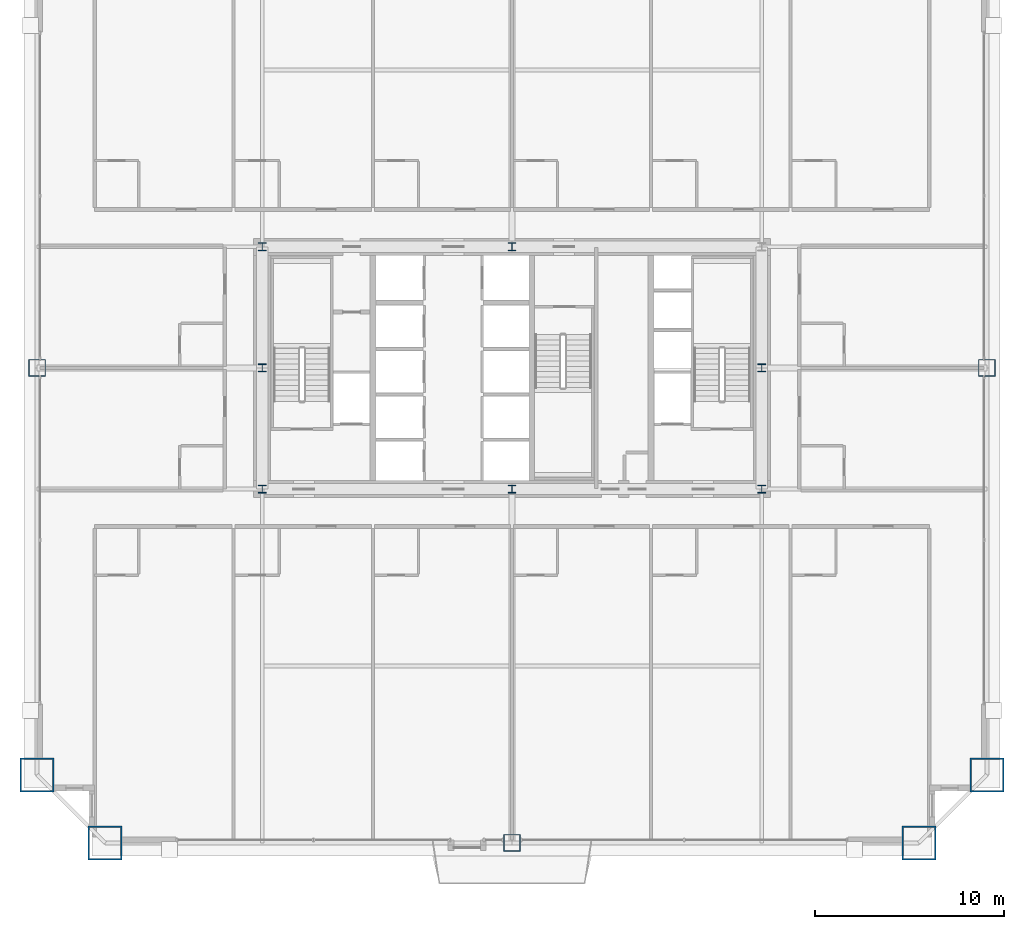
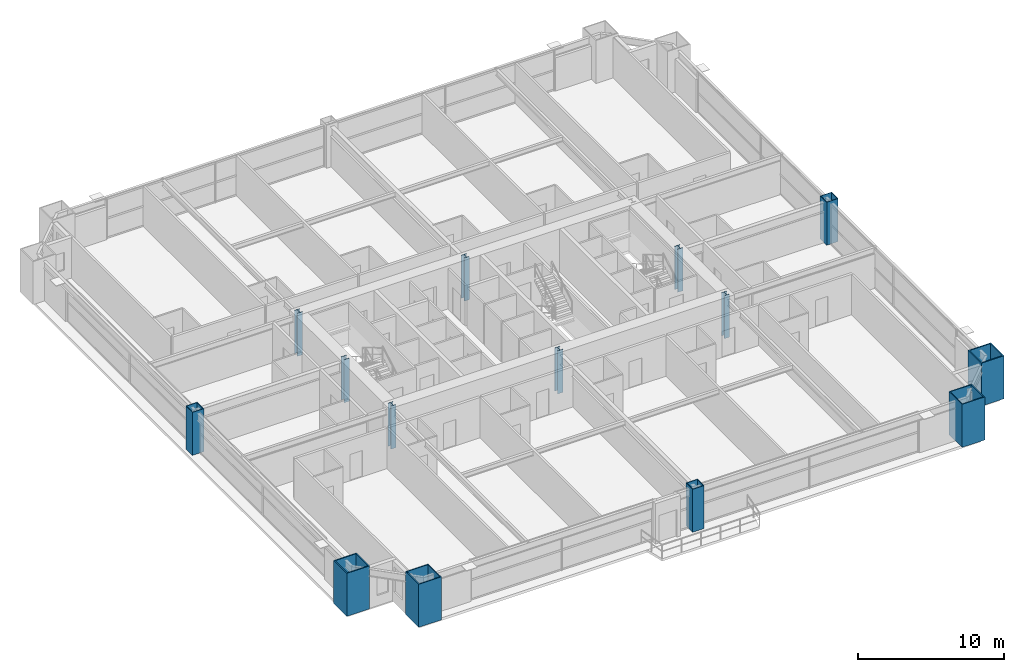
# One storey, part 1 of 45: 14 columns.
"""IFC4 building model written with IfcOpenShell, lengths in metres."""

from ifc_helpers import new_model, si_unit, direction, frame, origin, origin_2d, place, context, subcontext, project, spatial, hollow_rectangle, i_section, extrude, source, transform, mapped, material, material_profile, profile_set, type_object, element, save


model = new_model("IFC4")

# Units and contexts
model_context = context("Model", 3, precision=1e-05, world=origin(), true_north=direction((0.0, 1.0)))
body_context = subcontext(model_context, "Body", "Model", "MODEL_VIEW")
ifc_project = project(units=[si_unit("LENGTHUNIT", "METRE"), si_unit("AREAUNIT", "SQUARE_METRE"), si_unit("VOLUMEUNIT", "CUBIC_METRE"), si_unit("PLANEANGLEUNIT", "RADIAN"), si_unit("MASSUNIT", "GRAM", prefix="KILO"), si_unit("THERMODYNAMICTEMPERATUREUNIT", "KELVIN"), si_unit("POWERUNIT", "WATT")], contexts=[model_context])

# Site, building, storey
site_placement = place(None, origin())
site = spatial("IfcSite", under=ifc_project, at=site_placement, CompositionType="ELEMENT")
building_placement = place(site_placement, origin())
building = spatial("IfcBuilding", under=site, at=building_placement, Name="Yuzanri Waterfront Tower", CompositionType="ELEMENT")
storey_placement = place(building_placement, frame((0.0, 0.0, 34.199951171875)))
storey = spatial("IfcBuildingStorey", under=building, at=storey_placement, Name="L08", CompositionType="ELEMENT", Elevation=34.199951171875)

# Columns
ifc_material_1 = material(Name="Steel Q355B", Category="steel")
ifc_material_profile_1 = material_profile(ifc_material_1, i_section(OverallWidth=0.406982421875, OverallDepth=0.427978515625, WebThickness=0.02001953125, FlangeThickness=0.034912109375, at=origin_2d()), Name="HW 428x407x20x35")
ifc_profile_set_1 = profile_set([ifc_material_profile_1], Name="Steel Q355B")
column_type_1 = type_object("IfcColumnType", Name="Core Post Q355B HW 428x407x20x35", PredefinedType="COLUMN", material=ifc_profile_set_1)
shared_shape_1 = source(origin(), body_context, "Body", "SweptSolid", [
    extrude(i_section(OverallWidth=0.406982421875, OverallDepth=0.427978515625, WebThickness=0.02001953125, FlangeThickness=0.034912109375, at=origin_2d()), origin(), (0.0, 0.0, 1.0), 3.60009765625),
])
for number, where, z_axis, x_axis, name in (
    (1, (23.800048828125, 19.39990234375, 0.0), (0.0, 0.0, 1.0), (1.0, 0.0, 0.0), "L08 Core Boundary Column CP1"),
    (2, (37.0, 19.39990234375, 0.0), (0.0, 0.0, 1.0), (1.0, 0.0, 0.0), "L08 Core Boundary Column CP2"),
    (3, (50.199951171875, 19.39990234375, 0.0), (0.0, 0.0, 1.0), (1.0, 0.0, 0.0), "L08 Core Boundary Column CP3"),
    (4, (23.800048828125, 25.800048828125, 0.0), (0.0, 0.0, 1.0), (1.0, 0.0, 0.0), "L08 Core Boundary Column CP4"),
    (5, (50.199951171875, 25.800048828125, 0.0), (0.0, 0.0, 1.0), (1.0, 0.0, 0.0), "L08 Core Boundary Column CP5"),
    (6, (23.800048828125, 32.199951171875, 0.0), (0.0, 0.0, 1.0), (1.0, 0.0, 0.0), "L08 Core Boundary Column CP6"),
    (7, (37.0, 32.199951171875, 0.0), (0.0, 0.0, 1.0), (1.0, 0.0, 0.0), "L08 Core Boundary Column CP7"),
):
    element("IfcColumn", number, at=place(storey_placement, frame(where, z_axis=z_axis, x_axis=x_axis)), inside=storey, type_object=column_type_1, Name=name, PredefinedType="COLUMN", context=body_context, shape_type="MappedRepresentation", body=[
        mapped(shared_shape_1, transform((0.0, 0.0, 0.0), scale=1.0)),
    ])
ifc_material_2 = material(Name="Steel Q420GJC", Category="steel")
ifc_material_profile_2 = material_profile(ifc_material_2, hollow_rectangle(XDim=1.800048828125, YDim=1.800048828125, WallThickness=0.080078125, at=origin_2d()), Name="RHS 1800x1800x80")
ifc_profile_set_2 = profile_set([ifc_material_profile_2], Name="Steel Q420GJC")
column_type_2 = type_object("IfcColumnType", Name="Mega Column Q420GJC RHS 1800x1800x80", PredefinedType="COLUMN", material=ifc_profile_set_2)
shared_shape_2 = source(origin(), body_context, "Body", "SweptSolid", [
    extrude(hollow_rectangle(XDim=1.800048828125, YDim=1.800048828125, WallThickness=0.080078125, at=origin_2d()), origin(), (0.0, 0.0, 1.0), 3.60009765625),
])
for number, where, z_axis, x_axis, name in (
    (8, (15.5, 0.699951171875, 0.0), (0.0, 0.0, 1.0), (1.0, 0.0, 0.0), "L08 Perimeter Mega Column S1"),
    (9, (58.5, 0.699951171875, 0.0), (0.0, 0.0, 1.0), (1.0, 0.0, 0.0), "L08 Perimeter Mega Column S3"),
    (10, (11.89990234375, 4.300048828125, 0.0), (0.0, 0.0, 1.0), (1.0, 0.0, 0.0), "L08 Perimeter Mega Column W1"),
    (11, (62.10009765625, 4.300048828125, 0.0), (0.0, 0.0, 1.0), (1.0, 0.0, 0.0), "L08 Perimeter Mega Column E1"),
):
    element("IfcColumn", number, at=place(storey_placement, frame(where, z_axis=z_axis, x_axis=x_axis)), inside=storey, type_object=column_type_2, Name=name, PredefinedType="COLUMN", context=body_context, shape_type="MappedRepresentation", body=[
        mapped(shared_shape_2, transform((0.0, 0.0, 0.0), scale=1.0)),
    ])
ifc_material_3 = material(Name="Steel Q390GJC", Category="steel")
ifc_material_profile_3 = material_profile(ifc_material_3, hollow_rectangle(XDim=0.89990234375, YDim=0.89990234375, WallThickness=0.0419921875, at=origin_2d()), Name="RHS 900x900x42")
ifc_profile_set_3 = profile_set([ifc_material_profile_3], Name="Steel Q390GJC")
column_type_3 = type_object("IfcColumnType", Name="Frame Column Q390GJC RHS 900x900x42", PredefinedType="COLUMN", material=ifc_profile_set_3)
shared_shape_3 = source(origin(), body_context, "Body", "SweptSolid", [
    extrude(hollow_rectangle(XDim=0.89990234375, YDim=0.89990234375, WallThickness=0.0419921875, at=origin_2d()), origin(), (0.0, 0.0, 1.0), 3.60009765625),
])
for number, where, z_axis, x_axis, name in (
    (12, (37.0, 0.699951171875, 0.0), (0.0, 0.0, 1.0), (1.0, 0.0, 0.0), "L08 Perimeter Frame Column S2"),
    (13, (11.89990234375, 25.800048828125, 0.0), (0.0, 0.0, 1.0), (1.0, 0.0, 0.0), "L08 Perimeter Frame Column W2"),
    (14, (62.10009765625, 25.800048828125, 0.0), (0.0, 0.0, 1.0), (1.0, 0.0, 0.0), "L08 Perimeter Frame Column E2"),
):
    element("IfcColumn", number, at=place(storey_placement, frame(where, z_axis=z_axis, x_axis=x_axis)), inside=storey, type_object=column_type_3, Name=name, PredefinedType="COLUMN", context=body_context, shape_type="MappedRepresentation", body=[
        mapped(shared_shape_3, transform((0.0, 0.0, 0.0), scale=1.0)),
    ])

save(model, "model.ifc")
